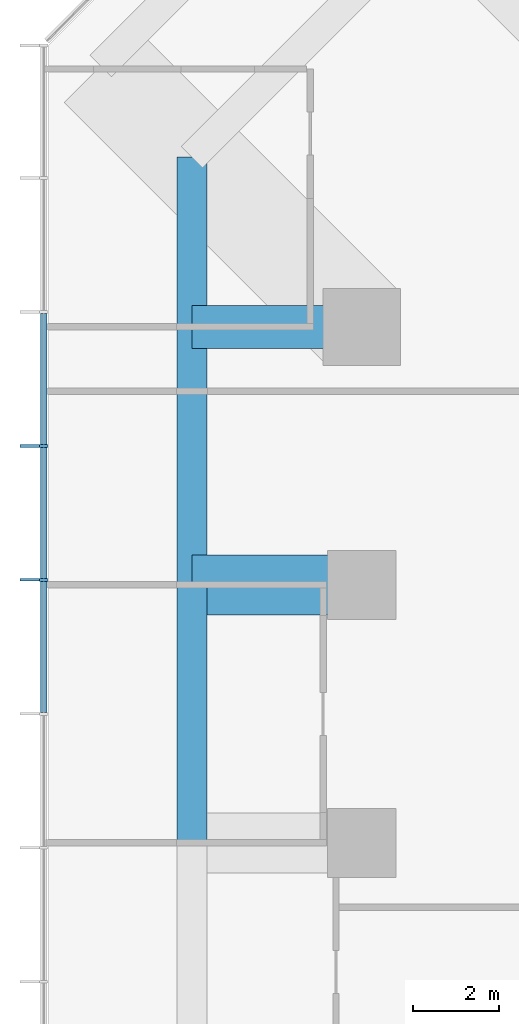
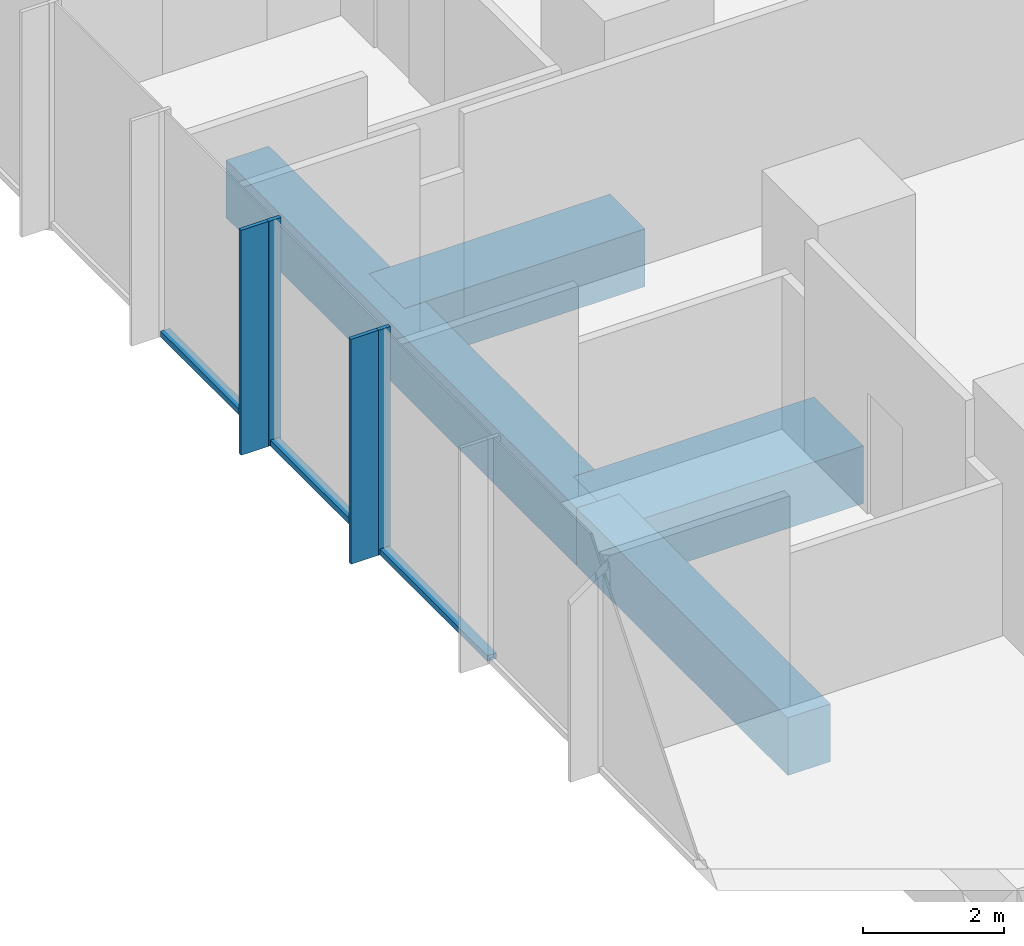
# One storey, part 3 of 11: 7 members, 4 beams, 1 element without a shape of its own.
"""IFC4 building model written with IfcOpenShell, lengths in metres."""

from ifc_helpers import new_model, si_unit, direction, frame, origin, origin_2d, place, context, subcontext, project, spatial, rectangle, extrude, material, layer, layer_set, material_profile, profile_set, type_object, element, aggregate, save


model = new_model("IFC4")

# Units and contexts
model_context = context("Model", 3, precision=1e-05, world=origin(), true_north=direction((0.0, 1.0)))
body_context = subcontext(model_context, "Body", "Model", "MODEL_VIEW")
ifc_project = project(units=[si_unit("LENGTHUNIT", "METRE"), si_unit("AREAUNIT", "SQUARE_METRE"), si_unit("VOLUMEUNIT", "CUBIC_METRE"), si_unit("PLANEANGLEUNIT", "RADIAN"), si_unit("MASSUNIT", "GRAM", prefix="KILO")], contexts=[model_context])

# Site, building, storey
site_placement = place(None, origin())
site = spatial("IfcSite", under=ifc_project, at=site_placement, CompositionType="ELEMENT")
building_placement = place(site_placement, origin())
building = spatial("IfcBuilding", under=site, at=building_placement, Name="Highveld Stack Headquarters", CompositionType="ELEMENT")
storey_placement = place(building_placement, frame((0.0, 0.0, 109.39990234375)))
storey = spatial("IfcBuildingStorey", under=building, at=storey_placement, Name="L26", CompositionType="ELEMENT", Elevation=109.39990234375)

# Beams
ifc_material_1 = material(Name="Concrete C60/75", Category="concrete")
ifc_material_profile_1 = material_profile(ifc_material_1, rectangle(XDim=1.0, YDim=1.0, at=origin_2d()), Name="RC 1000x1000")
ifc_profile_set_1 = profile_set([ifc_material_profile_1], Name="Concrete C60/75")
beam_type_1 = type_object("IfcBeamType", Name="CANTILEVER RIB RC 1000x1000", PredefinedType="USERDEFINED", material=ifc_profile_set_1)
beam_1_placement = place(storey_placement, frame((-18.0, 18.0, -0.75), z_axis=(-1.0, 0.0, 0.0), x_axis=(0.0, -1.0, 0.0)))
element("IfcBeam", 1, at=beam_1_placement, inside=storey, type_object=beam_type_1, Name="Cantilever rib 3/H L26", ObjectType="CANTILEVER RIB", PredefinedType="USERDEFINED", context=body_context, shape_type="SweptSolid", body=[
    extrude(rectangle(XDim=1.0, YDim=1.0, at=origin_2d()), origin(), (0.0, 0.0, 1.0), 3.949951171875),
])
ifc_material_2 = material(Name="Concrete C60/75", Category="concrete")
ifc_material_profile_2 = material_profile(ifc_material_2, rectangle(XDim=1.39990234375, YDim=1.0, at=origin_2d()), Name="RC 1400x1000")
ifc_profile_set_2 = profile_set([ifc_material_profile_2], Name="Concrete C60/75")
beam_type_2 = type_object("IfcBeamType", Name="CANTILEVER RIB RC 1400x1000", PredefinedType="USERDEFINED", material=ifc_profile_set_2)
beam_2_placement = place(storey_placement, frame((-18.0, 12.0, -0.75), z_axis=(-1.0, 0.0, 0.0), x_axis=(0.0, -1.0, 0.0)))
element("IfcBeam", 2, at=beam_2_placement, inside=storey, type_object=beam_type_2, Name="Cantilever rib 3/G L26", ObjectType="CANTILEVER RIB", PredefinedType="USERDEFINED", context=body_context, shape_type="SweptSolid", body=[
    extrude(rectangle(XDim=1.39990234375, YDim=1.0, at=origin_2d()), origin(), (0.0, 0.0, 1.0), 3.949951171875),
])

# Curtain wall, members
ifc_material_3 = material(Name="Aluminium bronze anodised", Category="aluminium")
ifc_layer = layer(ifc_material_3, 0.199951171875)
ifc_layer_set = layer_set([ifc_layer], Name="Aluminium bronze anodised")
curtain_wall_type = type_object("IfcCurtainWallType", Name="CW1 TOWER UNITISED CURTAIN WALL", PredefinedType="NOTDEFINED", material=ifc_layer_set)
curtain_wall_placement = place(storey_placement, origin())
curtain_wall = element("IfcCurtainWall", 3, at=curtain_wall_placement, inside=storey, type_object=curtain_wall_type, Name="Curtain wall CW1 L26 W", PredefinedType="NOTDEFINED")
ifc_material_4 = material(Name="Aluminium bronze anodised", Category="aluminium")
ifc_material_profile_3 = material_profile(ifc_material_4, rectangle(XDim=0.449951171875, YDim=0.06005859375, at=origin_2d()), Name="FIN 450x60")
ifc_profile_set_3 = profile_set([ifc_material_profile_3], Name="Aluminium bronze anodised")
member_type_1 = type_object("IfcMemberType", Name="CW1 BRONZE FIN 450x60", PredefinedType="USERDEFINED", material=ifc_profile_set_3)
member_1_placement = place(storey_placement, frame((-25.72509765625, 15.23193359375, 0.0), z_axis=(0.0, 0.0, 1.0), x_axis=(1.0, 0.0, 0.0)))
member_1 = element("IfcMember", 4, at=member_1_placement, type_object=member_type_1, Name="CW1 fin L26 4", ObjectType="FIN", PredefinedType="USERDEFINED", context=body_context, shape_type="SweptSolid", body=[
    extrude(rectangle(XDim=0.449951171875, YDim=0.06005859375, at=origin_2d()), origin(), (0.0, 0.0, 1.0), 3.900146484375),
])
member_2_placement = place(storey_placement, frame((-25.72509765625, 12.115966796875, 0.0), z_axis=(0.0, 0.0, 1.0), x_axis=(1.0, 0.0, 0.0)))
member_2 = element("IfcMember", 5, at=member_2_placement, type_object=member_type_1, Name="CW1 fin L26 5", ObjectType="FIN", PredefinedType="USERDEFINED", context=body_context, shape_type="SweptSolid", body=[
    extrude(rectangle(XDim=0.449951171875, YDim=0.06005859375, at=origin_2d()), origin(), (0.0, 0.0, 1.0), 3.900146484375),
])
ifc_material_5 = material(Name="Aluminium bronze anodised", Category="aluminium")
ifc_material_profile_4 = material_profile(ifc_material_5, rectangle(XDim=0.199951171875, YDim=0.06494140625, at=origin_2d()), Name="CW1 MULLION 65x200")
ifc_profile_set_4 = profile_set([ifc_material_profile_4], Name="Aluminium bronze anodised")
member_type_2 = type_object("IfcMemberType", Name="CW1 MULLION 65x200", PredefinedType="MULLION", material=ifc_profile_set_4)
member_3_placement = place(storey_placement, frame((-25.39990234375, 15.23193359375, 0.0), z_axis=(0.0, 0.0, 1.0), x_axis=(1.0, 0.0, 0.0)))
member_3 = element("IfcMember", 6, at=member_3_placement, type_object=member_type_2, Name="CW1 mullion L26 4", PredefinedType="MULLION", context=body_context, shape_type="SweptSolid", body=[
    extrude(rectangle(XDim=0.199951171875, YDim=0.06494140625, at=origin_2d()), origin(), (0.0, 0.0, 1.0), 3.900146484375),
])
member_4_placement = place(storey_placement, frame((-25.39990234375, 12.115966796875, 0.0), z_axis=(0.0, 0.0, 1.0), x_axis=(1.0, 0.0, 0.0)))
member_4 = element("IfcMember", 7, at=member_4_placement, type_object=member_type_2, Name="CW1 mullion L26 5", PredefinedType="MULLION", context=body_context, shape_type="SweptSolid", body=[
    extrude(rectangle(XDim=0.199951171875, YDim=0.06494140625, at=origin_2d()), origin(), (0.0, 0.0, 1.0), 3.900146484375),
])
ifc_material_6 = material(Name="Aluminium bronze anodised", Category="aluminium")
ifc_material_profile_5 = material_profile(ifc_material_6, rectangle(XDim=0.14990234375, YDim=0.10009765625, at=origin_2d()), Name="CW1 TRANSOM 150x100")
ifc_profile_set_5 = profile_set([ifc_material_profile_5], Name="Aluminium bronze anodised")
member_type_3 = type_object("IfcMemberType", Name="CW1 STACK TRANSOM 150x100", PredefinedType="USERDEFINED", material=ifc_profile_set_5)
member_5_placement = place(storey_placement, frame((-25.39990234375, 18.3154296875, 0.050048828125), z_axis=(0.0, -1.0, 0.0), x_axis=(1.0, 0.0, 0.0)))
member_5 = element("IfcMember", 8, at=member_5_placement, type_object=member_type_3, Name="CW1 transom L26 3.1", ObjectType="TRANSOM", PredefinedType="USERDEFINED", context=body_context, shape_type="SweptSolid", body=[
    extrude(rectangle(XDim=0.14990234375, YDim=0.10009765625, at=origin_2d()), origin(), (0.0, 0.0, 1.0), 3.051025390625),
])
member_6_placement = place(storey_placement, frame((-25.39990234375, 15.199462890625, 0.050048828125), z_axis=(0.0, -1.0, 0.0), x_axis=(1.0, 0.0, 0.0)))
member_6 = element("IfcMember", 9, at=member_6_placement, type_object=member_type_3, Name="CW1 transom L26 4.1", ObjectType="TRANSOM", PredefinedType="USERDEFINED", context=body_context, shape_type="SweptSolid", body=[
    extrude(rectangle(XDim=0.14990234375, YDim=0.10009765625, at=origin_2d()), origin(), (0.0, 0.0, 1.0), 3.051025390625),
])
member_7_placement = place(storey_placement, frame((-25.39990234375, 12.08349609375, 0.050048828125), z_axis=(0.0, -1.0, 0.0), x_axis=(1.0, 0.0, 0.0)))
member_7 = element("IfcMember", 10, at=member_7_placement, type_object=member_type_3, Name="CW1 transom L26 5.1", ObjectType="TRANSOM", PredefinedType="USERDEFINED", context=body_context, shape_type="SweptSolid", body=[
    extrude(rectangle(XDim=0.14990234375, YDim=0.10009765625, at=origin_2d()), origin(), (0.0, 0.0, 1.0), 3.051025390625),
])
aggregate(curtain_wall, [member_3, member_1, member_4, member_2, member_5, member_6, member_7])

# Beams
ifc_material_7 = material(Name="Concrete C60/75", Category="concrete")
ifc_material_profile_6 = material_profile(ifc_material_7, rectangle(XDim=0.699951171875, YDim=1.0, at=origin_2d()), Name="RC 700x1000")
ifc_profile_set_6 = profile_set([ifc_material_profile_6], Name="Concrete C60/75")
beam_type_3 = type_object("IfcBeamType", Name="RIB TIP BEAM RC 700x1000", PredefinedType="SPANDREL", material=ifc_profile_set_6)
beam_3_placement = place(storey_placement, frame((-21.949951171875, 6.0, -0.75), z_axis=(0.0, 1.0, 0.0), x_axis=(-1.0, 0.0, 0.0)))
element("IfcBeam", 11, at=beam_3_placement, inside=storey, type_object=beam_type_3, Name="Rib tip beam 3/F to 3/G L26", PredefinedType="SPANDREL", context=body_context, shape_type="SweptSolid", body=[
    extrude(rectangle(XDim=0.699951171875, YDim=1.0, at=origin_2d()), origin(), (0.0, 0.0, 1.0), 6.0),
])
beam_4_placement = place(storey_placement, frame((-21.949951171875, 12.0, -0.75), z_axis=(0.0, 1.0, 0.0), x_axis=(-1.0, 0.0, 0.0)))
element("IfcBeam", 12, at=beam_4_placement, inside=storey, type_object=beam_type_3, Name="Rib tip beam 3/G to 3/H L26", PredefinedType="SPANDREL", context=body_context, shape_type="SweptSolid", body=[
    extrude(rectangle(XDim=0.699951171875, YDim=1.0, at=origin_2d()), origin(), (0.0, 0.0, 1.0), 9.949951171875),
])

save(model, "model.ifc")
